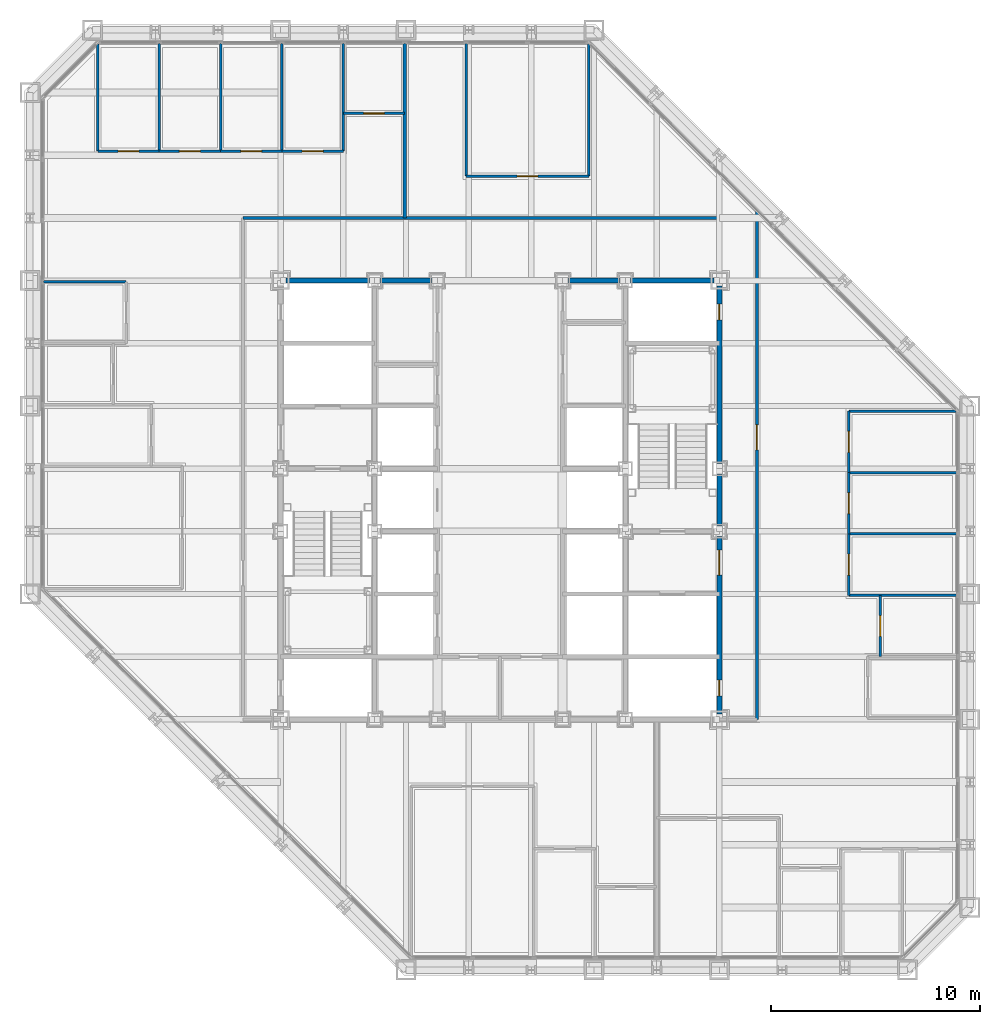
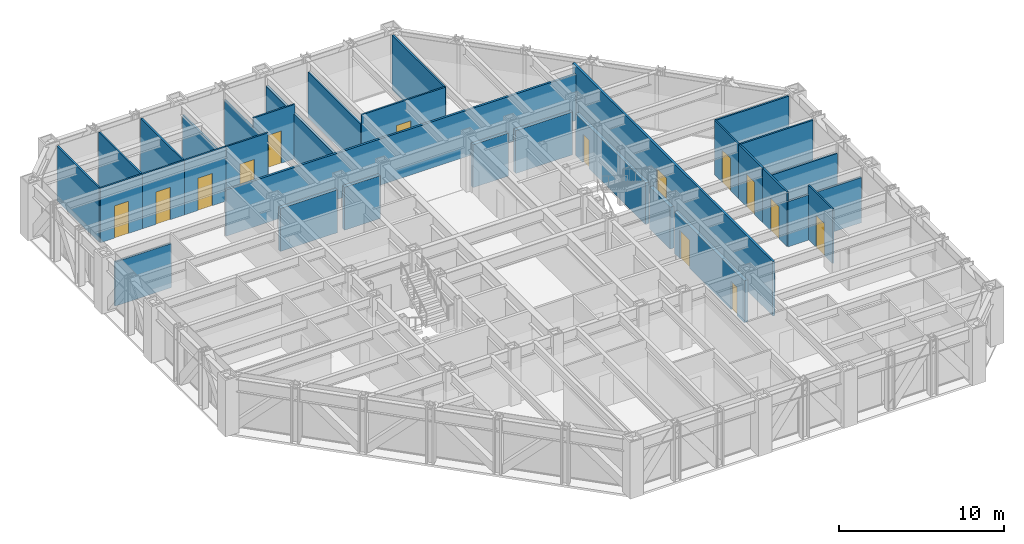
# One storey, part 12 of 16: 32 walls, 14 doors, 14 openings.
"""IFC4 building model written with IfcOpenShell, lengths in metres."""

from ifc_helpers import new_model, si_unit, direction, frame, frame_2d, origin, place, context, subcontext, project, spatial, rectangle, extrude, material, layer, layer_set, type_object, element, fill, save


model = new_model("IFC4")

# Units and contexts
model_context = context("Model", 3, precision=1e-05, world=origin(), true_north=direction((0.0, 1.0)))
body_context = subcontext(model_context, "Body", "Model", "MODEL_VIEW")
ifc_project = project(units=[si_unit("LENGTHUNIT", "METRE"), si_unit("AREAUNIT", "SQUARE_METRE"), si_unit("VOLUMEUNIT", "CUBIC_METRE"), si_unit("PLANEANGLEUNIT", "RADIAN"), si_unit("MASSUNIT", "GRAM", prefix="KILO")], contexts=[model_context])

# Site, building, storey
site_placement = place(None, origin())
site = spatial("IfcSite", under=ifc_project, at=site_placement, CompositionType="ELEMENT")
building_placement = place(site_placement, origin())
building = spatial("IfcBuilding", under=site, at=building_placement, Name="Chuquiago Exchange Tower", CompositionType="ELEMENT")
storey_placement = place(building_placement, frame((0.0, 0.0, 123.60009765625)))
storey = spatial("IfcBuildingStorey", under=building, at=storey_placement, Name="L26", CompositionType="ELEMENT", Elevation=123.60009765625)

# Walls
ifc_material_1 = material(Name="Concrete masonry, fully grouted", Category="masonry")
ifc_layer_1 = layer(ifc_material_1, 0.25)
ifc_layer_set_1 = layer_set([ifc_layer_1], Name="W1 core wall 250")
wall_type_1 = type_object("IfcWallType", Name="W1 core wall 250", PredefinedType="SOLIDWALL", material=ifc_layer_set_1)
wall_1_placement = place(storey_placement, frame((12.25, 33.0, 0.0), z_axis=(0.0, 0.0, 1.0), x_axis=(1.0, 0.0, 0.0)))
element("IfcWall", 1, at=wall_1_placement, inside=storey, type_object=wall_type_1, Name="CW-L26-11-0", PredefinedType="SOLIDWALL", context=body_context, shape_type="SweptSolid", body=[
    extrude(rectangle(XDim=4.0, YDim=0.25, at=frame_2d((2.0, 0.0))), origin(), (0.0, 0.0, 1.0), 3.181396484375),
])
for number, where, z_axis, x_axis, name in (
    (2, (16.75, 33.0, 0.0), (0.0, 0.0, 1.0), (1.0, 0.0, 0.0), "CW-L26-11-1"),
    (3, (25.75, 33.0, 0.0), (0.0, 0.0, 1.0), (1.0, 0.0, 0.0), "CW-L26-12-0"),
):
    element("IfcWall", number, at=place(storey_placement, frame(where, z_axis=z_axis, x_axis=x_axis)), inside=storey, type_object=wall_type_1, Name=name, PredefinedType="SOLIDWALL", context=body_context, shape_type="SweptSolid", body=[
        extrude(rectangle(XDim=2.5, YDim=0.25, at=frame_2d((1.25, 0.0))), origin(), (0.0, 0.0, 1.0), 3.181396484375),
    ])
wall_2_placement = place(storey_placement, frame((28.75, 33.0, 0.0), z_axis=(0.0, 0.0, 1.0), x_axis=(1.0, 0.0, 0.0)))
element("IfcWall", 4, at=wall_2_placement, inside=storey, type_object=wall_type_1, Name="CW-L26-12-1", PredefinedType="SOLIDWALL", context=body_context, shape_type="SweptSolid", body=[
    extrude(rectangle(XDim=4.0, YDim=0.25, at=frame_2d((2.0, 0.0))), origin(), (0.0, 0.0, 1.0), 3.181396484375),
])

# Wall, openings, doors
wall_3_placement = place(storey_placement, frame((33.0, 12.25, 0.0), z_axis=(0.0, 0.0, 1.0), x_axis=(0.0, 1.0, 0.0)))
wall_3 = element("IfcWall", 5, at=wall_3_placement, inside=storey, type_object=wall_type_1, Name="CW-L26-25-0", PredefinedType="SOLIDWALL", context=body_context, shape_type="SweptSolid", body=[
    extrude(rectangle(XDim=8.5, YDim=0.25, at=frame_2d((4.25, 0.0))), origin(), (0.0, 0.0, 1.0), 3.11279296875),
])
opening_1_placement = place(wall_3_placement, frame((6.64990234375, 0.0, 0.0)))
opening_1 = element("IfcOpeningElement", 6, at=opening_1_placement, cuts=wall_3, Name="Opening L26-004", PredefinedType="OPENING", context=body_context, shape_type="SweptSolid", body=[
    extrude(rectangle(XDim=1.199951171875, YDim=2.10009765625, at=frame_2d((0.60009765625, 1.050048828125))), frame((0.0, 0.135009765625, 0.0), z_axis=(0.0, -1.0, 0.0), x_axis=(1.0, 0.0, 0.0)), (0.0, 0.0, 1.0), 0.27001953125),
])
opening_2_placement = place(wall_3_placement, frame((0.875, 0.0, 0.0)))
opening_2 = element("IfcOpeningElement", 7, at=opening_2_placement, cuts=wall_3, Name="Opening L26-009", PredefinedType="OPENING", context=body_context, shape_type="SweptSolid", body=[
    extrude(rectangle(XDim=0.75, YDim=2.10009765625, at=frame_2d((0.375, 1.050048828125))), frame((0.0, 0.135009765625, 0.0), z_axis=(0.0, -1.0, 0.0), x_axis=(1.0, 0.0, 0.0)), (0.0, 0.0, 1.0), 0.27001953125),
])
ifc_material_2 = material(Name="Steel door, painted", Category="steel")
door_type_1 = type_object("IfcDoorType", Name="D5 firefighting lobby door 1200x2100", OperationType="SINGLE_SWING_LEFT", PredefinedType="DOOR", material=ifc_material_2)
door_1_placement = place(opening_1_placement, origin())
door_1 = element("IfcDoor", 8, at=door_1_placement, inside=storey, type_object=door_type_1, Name="Firefighting lobby 2 door", OperationType="SINGLE_SWING_RIGHT", OverallHeight=2.10009765625, OverallWidth=1.199951171875, PredefinedType="DOOR", context=body_context, shape_type="SweptSolid", body=[
    extrude(rectangle(XDim=1.199951171875, YDim=2.10009765625, at=frame_2d((0.60009765625, 1.050048828125))), frame((0.0, 0.02490234375, 0.0), z_axis=(0.0, -1.0, 0.0), x_axis=(1.0, 0.0, 0.0)), (0.0, 0.0, 1.0), 0.050048828125),
])
fill(opening_1, door_1)
ifc_material_3 = material(Name="Steel door, painted", Category="steel")
door_type_2 = type_object("IfcDoorType", Name="D6 riser access door 750x2100", OperationType="SINGLE_SWING_LEFT", PredefinedType="DOOR", material=ifc_material_3)
door_2_placement = place(opening_2_placement, origin())
door_2 = element("IfcDoor", 9, at=door_2_placement, inside=storey, type_object=door_type_2, Name="Riser RE1 door", OperationType="SINGLE_SWING_LEFT", OverallHeight=2.10009765625, OverallWidth=0.75, PredefinedType="DOOR", context=body_context, shape_type="SweptSolid", body=[
    extrude(rectangle(XDim=0.75, YDim=2.10009765625, at=frame_2d((0.375, 1.050048828125))), frame((0.0, 0.02490234375, 0.0), z_axis=(0.0, -1.0, 0.0), x_axis=(1.0, 0.0, 0.0)), (0.0, 0.0, 1.0), 0.050048828125),
])
fill(opening_2, door_2)

# Wall
wall_4_placement = place(storey_placement, frame((33.0, 21.25, 0.0), z_axis=(0.0, 0.0, 1.0), x_axis=(0.0, 1.0, 0.0)))
element("IfcWall", 10, at=wall_4_placement, inside=storey, type_object=wall_type_1, Name="CW-L26-25-1", PredefinedType="SOLIDWALL", context=body_context, shape_type="SweptSolid", body=[
    extrude(rectangle(XDim=2.5, YDim=0.25, at=frame_2d((1.25, 0.0))), origin(), (0.0, 0.0, 1.0), 3.11279296875),
])

# Wall, opening, door
wall_5_placement = place(storey_placement, frame((33.0, 24.25, 0.0), z_axis=(0.0, 0.0, 1.0), x_axis=(0.0, 1.0, 0.0)))
wall_5 = element("IfcWall", 11, at=wall_5_placement, inside=storey, type_object=wall_type_1, Name="CW-L26-25-2", PredefinedType="SOLIDWALL", context=body_context, shape_type="SweptSolid", body=[
    extrude(rectangle(XDim=8.5, YDim=0.25, at=frame_2d((4.25, 0.0))), origin(), (0.0, 0.0, 1.0), 3.11279296875),
])
opening_3_placement = place(wall_5_placement, frame((6.875, 0.0, 0.0)))
opening_3 = element("IfcOpeningElement", 12, at=opening_3_placement, cuts=wall_5, Name="Opening L26-010", PredefinedType="OPENING", context=body_context, shape_type="SweptSolid", body=[
    extrude(rectangle(XDim=0.75, YDim=2.10009765625, at=frame_2d((0.375, 1.050048828125))), frame((0.0, 0.135009765625, 0.0), z_axis=(0.0, -1.0, 0.0), x_axis=(1.0, 0.0, 0.0)), (0.0, 0.0, 1.0), 0.27001953125),
])
door_3_placement = place(opening_3_placement, origin())
door_3 = element("IfcDoor", 13, at=door_3_placement, inside=storey, type_object=door_type_2, Name="Riser RE2 door", OperationType="SINGLE_SWING_RIGHT", OverallHeight=2.10009765625, OverallWidth=0.75, PredefinedType="DOOR", context=body_context, shape_type="SweptSolid", body=[
    extrude(rectangle(XDim=0.75, YDim=2.10009765625, at=frame_2d((0.375, 1.050048828125))), frame((0.0, 0.02490234375, 0.0), z_axis=(0.0, -1.0, 0.0), x_axis=(1.0, 0.0, 0.0)), (0.0, 0.0, 1.0), 0.050048828125),
])
fill(opening_3, door_3)

# Wall
ifc_material_4 = material(Name="Gypsum board on steel studs, acoustic insulation", Category="steel")
ifc_layer_2 = layer(ifc_material_4, 0.14990234375)
ifc_layer_set_2 = layer_set([ifc_layer_2], Name="W11 corridor wall 150")
wall_type_2 = type_object("IfcWallType", Name="W11 corridor wall 150", PredefinedType="PARTITIONING", material=ifc_layer_set_2)
wall_6_placement = place(storey_placement, frame((10.199951171875, 36.0, 0.0), z_axis=(0.0, 0.0, 1.0), x_axis=(1.0, 0.0, 0.0)))
element("IfcWall", 14, at=wall_6_placement, inside=storey, type_object=wall_type_2, Name="PW-L26-CN", PredefinedType="PARTITIONING", context=body_context, shape_type="SweptSolid", body=[
    extrude(rectangle(XDim=24.91455078125, YDim=0.14990234375, at=frame_2d((12.457275390625, 0.0))), origin(), (0.0, 0.0, 1.0), 3.427734375),
])

# Wall, opening, door
wall_7_placement = place(storey_placement, frame((34.800048828125, 12.0, 0.0), z_axis=(0.0, 0.0, 1.0), x_axis=(0.0, 1.0, 0.0)))
wall_7 = element("IfcWall", 15, at=wall_7_placement, inside=storey, type_object=wall_type_2, Name="PW-L26-CE", PredefinedType="PARTITIONING", context=body_context, shape_type="SweptSolid", body=[
    extrude(rectangle(XDim=24.314453125, YDim=0.14990234375, at=frame_2d((12.1572265625, 0.0))), origin(), (0.0, 0.0, 1.0), 4.039794921875),
])
opening_4_placement = place(wall_7_placement, frame((12.89990234375, 0.0, 0.0)))
opening_4 = element("IfcOpeningElement", 16, at=opening_4_placement, cuts=wall_7, Name="Opening L26-044", PredefinedType="OPENING", context=body_context, shape_type="SweptSolid", body=[
    extrude(rectangle(XDim=1.199951171875, YDim=2.39990234375, at=frame_2d((0.60009765625, 1.199951171875))), frame((0.0, 0.0849609375, 0.0), z_axis=(0.0, -1.0, 0.0), x_axis=(1.0, 0.0, 0.0)), (0.0, 0.0, 1.0), 0.169921875),
])
ifc_material_5 = material(Name="Timber door, laminate faced", Category="wood")
door_type_3 = type_object("IfcDoorType", Name="D13 suite entrance door 1200x2400", OperationType="SINGLE_SWING_LEFT", PredefinedType="DOOR", material=ifc_material_5)
door_4_placement = place(opening_4_placement, frame((1.199951171875, 0.0, 0.0), z_axis=(0.0, 0.0, 1.0), x_axis=(-1.0, 0.0, 0.0)))
door_4 = element("IfcDoor", 17, at=door_4_placement, inside=storey, type_object=door_type_3, Name="East suite entrance door", OperationType="SINGLE_SWING_LEFT", OverallHeight=2.39990234375, OverallWidth=1.199951171875, PredefinedType="DOOR", context=body_context, shape_type="SweptSolid", body=[
    extrude(rectangle(XDim=1.199951171875, YDim=2.39990234375, at=frame_2d((0.60009765625, 1.199951171875))), frame((0.0, 0.02490234375, 0.0), z_axis=(0.0, -1.0, 0.0), x_axis=(1.0, 0.0, 0.0)), (0.0, 0.0, 1.0), 0.050048828125),
])
fill(opening_4, door_4)

# Walls
ifc_material_6 = material(Name="Gypsum board on twin steel studs, acoustic insulation", Category="steel")
ifc_layer_3 = layer(ifc_material_6, 0.175048828125)
ifc_layer_set_3 = layer_set([ifc_layer_3], Name="W12 tenant demising wall 175")
wall_type_3 = type_object("IfcWallType", Name="W12 tenant demising wall 175", PredefinedType="PARTITIONING", material=ifc_layer_set_3)
wall_8_placement = place(storey_placement, frame((17.93798828125, 44.347412109375, 0.0), z_axis=(0.0, 0.0, 1.0), x_axis=(0.0, -1.0, 0.0)))
element("IfcWall", 18, at=wall_8_placement, inside=storey, type_object=wall_type_3, Name="PW-L26-DN01794", PredefinedType="PARTITIONING", context=body_context, shape_type="SweptSolid", body=[
    extrude(rectangle(XDim=8.347412109375, YDim=0.175048828125, at=frame_2d((4.173828125, 0.0))), origin(), (0.0, 0.0, 1.0), 3.356689453125),
])
ifc_material_7 = material(Name="Gypsum board on steel studs", Category="steel")
ifc_layer_4 = layer(ifc_material_7, 0.1201171875)
ifc_layer_set_4 = layer_set([ifc_layer_4], Name="W4 partition 120")
wall_type_4 = type_object("IfcWallType", Name="W4 partition 120", PredefinedType="PARTITIONING", material=ifc_layer_set_4)
for number, where, z_axis, x_axis, name in (
    (19, (44.347412109375, 17.93798828125, 0.0), (0.0, 0.0, 1.0), (-1.0, 0.0, 0.0), "PW-L26-E01794"),
    (20, (44.347412109375, 20.875732421875, 0.0), (0.0, 0.0, 1.0), (-1.0, 0.0, 0.0), "PW-L26-E02088"),
):
    element("IfcWall", number, at=place(storey_placement, frame(where, z_axis=z_axis, x_axis=x_axis)), inside=storey, type_object=wall_type_4, Name=name, PredefinedType="PARTITIONING", context=body_context, shape_type="SweptSolid", body=[
        extrude(rectangle(XDim=5.1474609375, YDim=0.1201171875, at=frame_2d((2.57373046875, 0.0))), origin(), (0.0, 0.0, 1.0), 3.356689453125),
    ])
wall_9_placement = place(storey_placement, frame((44.347412109375, 23.813720703125, 0.0), z_axis=(0.0, 0.0, 1.0), x_axis=(-1.0, 0.0, 0.0)))
element("IfcWall", 21, at=wall_9_placement, inside=storey, type_object=wall_type_4, Name="PW-L26-E02381", PredefinedType="PARTITIONING", context=body_context, shape_type="SweptSolid", body=[
    extrude(rectangle(XDim=5.1474609375, YDim=0.1201171875, at=frame_2d((2.57373046875, 0.0))), origin(), (0.0, 0.0, 1.0), 4.039794921875),
])
wall_10_placement = place(storey_placement, frame((44.333984375, 26.75146484375, 0.0), z_axis=(0.0, 0.0, 1.0), x_axis=(-1.0, 0.0, 0.0)))
element("IfcWall", 22, at=wall_10_placement, inside=storey, type_object=wall_type_4, Name="PW-L26-E02675", PredefinedType="PARTITIONING", context=body_context, shape_type="SweptSolid", body=[
    extrude(rectangle(XDim=5.134033203125, YDim=0.1201171875, at=frame_2d((2.56689453125, 0.0))), origin(), (0.0, 0.0, 1.0), 4.039794921875),
])

# Wall, opening, door
wall_11_placement = place(storey_placement, frame((40.699951171875, 15.0, 0.0), z_axis=(0.0, 0.0, 1.0), x_axis=(0.0, 1.0, 0.0)))
wall_11 = element("IfcWall", 23, at=wall_11_placement, inside=storey, type_object=wall_type_4, Name="PW-L26-EF01500", PredefinedType="PARTITIONING", context=body_context, shape_type="SweptSolid", body=[
    extrude(rectangle(XDim=2.93798828125, YDim=0.1201171875, at=frame_2d((1.468994140625, 0.0))), origin(), (0.0, 0.0, 1.0), 4.039794921875),
])
opening_5_placement = place(wall_11_placement, frame((0.968994140625, 0.0, 0.0)))
opening_5 = element("IfcOpeningElement", 24, at=opening_5_placement, cuts=wall_11, Name="Opening L26-029", PredefinedType="OPENING", context=body_context, shape_type="SweptSolid", body=[
    extrude(rectangle(XDim=1.0, YDim=2.39990234375, at=frame_2d((0.5, 1.199951171875))), frame((0.0, 0.070068359375, 0.0), z_axis=(0.0, -1.0, 0.0), x_axis=(1.0, 0.0, 0.0)), (0.0, 0.0, 1.0), 0.14013671875),
])
ifc_material_8 = material(Name="Timber door, laminate faced", Category="wood")
door_type_4 = type_object("IfcDoorType", Name="D9 room door 1000x2400", OperationType="SINGLE_SWING_LEFT", PredefinedType="DOOR", material=ifc_material_8)
door_5_placement = place(opening_5_placement, frame((1.0, 0.0, 0.0), z_axis=(0.0, 0.0, 1.0), x_axis=(-1.0, 0.0, 0.0)))
door_5 = element("IfcDoor", 25, at=door_5_placement, inside=storey, type_object=door_type_4, Name="Store door", OperationType="SINGLE_SWING_RIGHT", OverallHeight=2.39990234375, OverallWidth=1.0, PredefinedType="DOOR", context=body_context, shape_type="SweptSolid", body=[
    extrude(rectangle(XDim=1.0, YDim=2.39990234375, at=frame_2d((0.5, 1.199951171875))), frame((0.0, 0.02490234375, 0.0), z_axis=(0.0, -1.0, 0.0), x_axis=(1.0, 0.0, 0.0)), (0.0, 0.0, 1.0), 0.050048828125),
])
fill(opening_5, door_5)

wall_12_placement = place(storey_placement, frame((39.199951171875, 17.93798828125, 0.0), z_axis=(0.0, 0.0, 1.0), x_axis=(0.0, 1.0, 0.0)))
wall_12 = element("IfcWall", 26, at=wall_12_placement, inside=storey, type_object=wall_type_4, Name="PW-L26-EF01794", PredefinedType="PARTITIONING", context=body_context, shape_type="SweptSolid", body=[
    extrude(rectangle(XDim=2.937744140625, YDim=0.1201171875, at=frame_2d((1.46875, 0.0))), origin(), (0.0, 0.0, 1.0), 4.039794921875),
])
opening_6_placement = place(wall_12_placement, frame((0.968994140625, 0.0, 0.0)))
opening_6 = element("IfcOpeningElement", 27, at=opening_6_placement, cuts=wall_12, Name="Opening L26-030", PredefinedType="OPENING", context=body_context, shape_type="SweptSolid", body=[
    extrude(rectangle(XDim=1.0, YDim=2.39990234375, at=frame_2d((0.5, 1.199951171875))), frame((0.0, 0.070068359375, 0.0), z_axis=(0.0, -1.0, 0.0), x_axis=(1.0, 0.0, 0.0)), (0.0, 0.0, 1.0), 0.14013671875),
])
door_6_placement = place(opening_6_placement, frame((1.0, 0.0, 0.0), z_axis=(0.0, 0.0, 1.0), x_axis=(-1.0, 0.0, 0.0)))
door_6 = element("IfcDoor", 28, at=door_6_placement, inside=storey, type_object=door_type_4, Name="Office door", OperationType="SINGLE_SWING_LEFT", OverallHeight=2.39990234375, OverallWidth=1.0, PredefinedType="DOOR", context=body_context, shape_type="SweptSolid", body=[
    extrude(rectangle(XDim=1.0, YDim=2.39990234375, at=frame_2d((0.5, 1.199951171875))), frame((0.0, 0.02490234375, 0.0), z_axis=(0.0, -1.0, 0.0), x_axis=(1.0, 0.0, 0.0)), (0.0, 0.0, 1.0), 0.050048828125),
])
fill(opening_6, door_6)

wall_13_placement = place(storey_placement, frame((39.199951171875, 20.875732421875, 0.0), z_axis=(0.0, 0.0, 1.0), x_axis=(0.0, 1.0, 0.0)))
wall_13 = element("IfcWall", 29, at=wall_13_placement, inside=storey, type_object=wall_type_4, Name="PW-L26-EF02088", PredefinedType="PARTITIONING", context=body_context, shape_type="SweptSolid", body=[
    extrude(rectangle(XDim=2.93798828125, YDim=0.1201171875, at=frame_2d((1.468994140625, 0.0))), origin(), (0.0, 0.0, 1.0), 4.039794921875),
])
opening_7_placement = place(wall_13_placement, frame((0.968994140625, 0.0, 0.0)))
opening_7 = element("IfcOpeningElement", 30, at=opening_7_placement, cuts=wall_13, Name="Opening L26-031", PredefinedType="OPENING", context=body_context, shape_type="SweptSolid", body=[
    extrude(rectangle(XDim=1.0, YDim=2.39990234375, at=frame_2d((0.5, 1.199951171875))), frame((0.0, 0.070068359375, 0.0), z_axis=(0.0, -1.0, 0.0), x_axis=(1.0, 0.0, 0.0)), (0.0, 0.0, 1.0), 0.14013671875),
])
door_7_placement = place(opening_7_placement, frame((1.0, 0.0, 0.0), z_axis=(0.0, 0.0, 1.0), x_axis=(-1.0, 0.0, 0.0)))
door_7 = element("IfcDoor", 31, at=door_7_placement, inside=storey, type_object=door_type_4, Name="Office door", OperationType="SINGLE_SWING_LEFT", OverallHeight=2.39990234375, OverallWidth=1.0, PredefinedType="DOOR", context=body_context, shape_type="SweptSolid", body=[
    extrude(rectangle(XDim=1.0, YDim=2.39990234375, at=frame_2d((0.5, 1.199951171875))), frame((0.0, 0.02490234375, 0.0), z_axis=(0.0, -1.0, 0.0), x_axis=(1.0, 0.0, 0.0)), (0.0, 0.0, 1.0), 0.050048828125),
])
fill(opening_7, door_7)

wall_14_placement = place(storey_placement, frame((39.199951171875, 23.813720703125, 0.0), z_axis=(0.0, 0.0, 1.0), x_axis=(0.0, 1.0, 0.0)))
wall_14 = element("IfcWall", 32, at=wall_14_placement, inside=storey, type_object=wall_type_4, Name="PW-L26-EF02381", PredefinedType="PARTITIONING", context=body_context, shape_type="SweptSolid", body=[
    extrude(rectangle(XDim=2.937744140625, YDim=0.1201171875, at=frame_2d((1.46875, 0.0))), origin(), (0.0, 0.0, 1.0), 4.039794921875),
])
opening_8_placement = place(wall_14_placement, frame((0.968994140625, 0.0, 0.0)))
opening_8 = element("IfcOpeningElement", 33, at=opening_8_placement, cuts=wall_14, Name="Opening L26-032", PredefinedType="OPENING", context=body_context, shape_type="SweptSolid", body=[
    extrude(rectangle(XDim=1.0, YDim=2.39990234375, at=frame_2d((0.5, 1.199951171875))), frame((0.0, 0.070068359375, 0.0), z_axis=(0.0, -1.0, 0.0), x_axis=(1.0, 0.0, 0.0)), (0.0, 0.0, 1.0), 0.14013671875),
])
door_8_placement = place(opening_8_placement, frame((1.0, 0.0, 0.0), z_axis=(0.0, 0.0, 1.0), x_axis=(-1.0, 0.0, 0.0)))
door_8 = element("IfcDoor", 34, at=door_8_placement, inside=storey, type_object=door_type_4, Name="Office door", OperationType="SINGLE_SWING_RIGHT", OverallHeight=2.39990234375, OverallWidth=1.0, PredefinedType="DOOR", context=body_context, shape_type="SweptSolid", body=[
    extrude(rectangle(XDim=1.0, YDim=2.39990234375, at=frame_2d((0.5, 1.199951171875))), frame((0.0, 0.02490234375, 0.0), z_axis=(0.0, -1.0, 0.0), x_axis=(1.0, 0.0, 0.0)), (0.0, 0.0, 1.0), 0.050048828125),
])
fill(opening_8, door_8)

# Walls
wall_15_placement = place(storey_placement, frame((3.24853515625, 44.333984375, 0.0), z_axis=(0.0, 0.0, 1.0), x_axis=(0.0, -1.0, 0.0)))
element("IfcWall", 35, at=wall_15_placement, inside=storey, type_object=wall_type_4, Name="PW-L26-N00325", PredefinedType="PARTITIONING", context=body_context, shape_type="SweptSolid", body=[
    extrude(rectangle(XDim=5.134033203125, YDim=0.1201171875, at=frame_2d((2.56689453125, 0.0))), origin(), (0.0, 0.0, 1.0), 4.039794921875),
])
for number, where, z_axis, x_axis, name in (
    (36, (6.186279296875, 44.347412109375, 0.0), (0.0, 0.0, 1.0), (0.0, -1.0, 0.0), "PW-L26-N00619"),
    (37, (9.124267578125, 44.347412109375, 0.0), (0.0, 0.0, 1.0), (0.0, -1.0, 0.0), "PW-L26-N00912"),
):
    element("IfcWall", number, at=place(storey_placement, frame(where, z_axis=z_axis, x_axis=x_axis)), inside=storey, type_object=wall_type_4, Name=name, PredefinedType="PARTITIONING", context=body_context, shape_type="SweptSolid", body=[
        extrude(rectangle(XDim=5.1474609375, YDim=0.1201171875, at=frame_2d((2.57373046875, 0.0))), origin(), (0.0, 0.0, 1.0), 4.039794921875),
    ])
wall_16_placement = place(storey_placement, frame((12.06201171875, 44.347412109375, 0.0), z_axis=(0.0, 0.0, 1.0), x_axis=(0.0, -1.0, 0.0)))
element("IfcWall", 38, at=wall_16_placement, inside=storey, type_object=wall_type_4, Name="PW-L26-N01206", PredefinedType="PARTITIONING", context=body_context, shape_type="SweptSolid", body=[
    extrude(rectangle(XDim=5.1474609375, YDim=0.1201171875, at=frame_2d((2.57373046875, 0.0))), origin(), (0.0, 0.0, 1.0), 3.270263671875),
])
wall_17_placement = place(storey_placement, frame((15.0, 44.347412109375, 0.0), z_axis=(0.0, 0.0, 1.0), x_axis=(0.0, -1.0, 0.0)))
element("IfcWall", 39, at=wall_17_placement, inside=storey, type_object=wall_type_4, Name="PW-L26-N01500", PredefinedType="PARTITIONING", context=body_context, shape_type="SweptSolid", body=[
    extrude(rectangle(XDim=5.1474609375, YDim=0.1201171875, at=frame_2d((2.57373046875, 0.0))), origin(), (0.0, 0.0, 1.0), 3.356689453125),
])
wall_18_placement = place(storey_placement, frame((20.875732421875, 44.347412109375, 0.0), z_axis=(0.0, 0.0, 1.0), x_axis=(0.0, -1.0, 0.0)))
element("IfcWall", 40, at=wall_18_placement, inside=storey, type_object=wall_type_4, Name="PW-L26-N02088", PredefinedType="PARTITIONING", context=body_context, shape_type="SweptSolid", body=[
    extrude(rectangle(XDim=6.347412109375, YDim=0.1201171875, at=frame_2d((3.173828125, 0.0))), origin(), (0.0, 0.0, 1.0), 3.356689453125),
])
wall_19_placement = place(storey_placement, frame((26.75146484375, 44.333984375, 0.0), z_axis=(0.0, 0.0, 1.0), x_axis=(0.0, -1.0, 0.0)))
element("IfcWall", 41, at=wall_19_placement, inside=storey, type_object=wall_type_4, Name="PW-L26-N02675", PredefinedType="PARTITIONING", context=body_context, shape_type="SweptSolid", body=[
    extrude(rectangle(XDim=6.333984375, YDim=0.1201171875, at=frame_2d((3.1669921875, 0.0))), origin(), (0.0, 0.0, 1.0), 4.039794921875),
])

# Wall, opening, door
wall_20_placement = place(storey_placement, frame((3.24853515625, 39.199951171875, 0.0), z_axis=(0.0, 0.0, 1.0), x_axis=(1.0, 0.0, 0.0)))
wall_20 = element("IfcWall", 42, at=wall_20_placement, inside=storey, type_object=wall_type_4, Name="PW-L26-NF00325", PredefinedType="PARTITIONING", context=body_context, shape_type="SweptSolid", body=[
    extrude(rectangle(XDim=2.937744140625, YDim=0.1201171875, at=frame_2d((1.46875, 0.0))), origin(), (0.0, 0.0, 1.0), 4.039794921875),
])
opening_9_placement = place(wall_20_placement, frame((0.968994140625, 0.0, 0.0)))
opening_9 = element("IfcOpeningElement", 43, at=opening_9_placement, cuts=wall_20, Name="Opening L26-033", PredefinedType="OPENING", context=body_context, shape_type="SweptSolid", body=[
    extrude(rectangle(XDim=1.0, YDim=2.39990234375, at=frame_2d((0.5, 1.199951171875))), frame((0.0, 0.070068359375, 0.0), z_axis=(0.0, -1.0, 0.0), x_axis=(1.0, 0.0, 0.0)), (0.0, 0.0, 1.0), 0.14013671875),
])
door_9_placement = place(opening_9_placement, origin())
door_9 = element("IfcDoor", 44, at=door_9_placement, inside=storey, type_object=door_type_4, Name="Office door", OperationType="SINGLE_SWING_LEFT", OverallHeight=2.39990234375, OverallWidth=1.0, PredefinedType="DOOR", context=body_context, shape_type="SweptSolid", body=[
    extrude(rectangle(XDim=1.0, YDim=2.39990234375, at=frame_2d((0.5, 1.199951171875))), frame((0.0, 0.02490234375, 0.0), z_axis=(0.0, -1.0, 0.0), x_axis=(1.0, 0.0, 0.0)), (0.0, 0.0, 1.0), 0.050048828125),
])
fill(opening_9, door_9)

wall_21_placement = place(storey_placement, frame((6.186279296875, 39.199951171875, 0.0), z_axis=(0.0, 0.0, 1.0), x_axis=(1.0, 0.0, 0.0)))
wall_21 = element("IfcWall", 45, at=wall_21_placement, inside=storey, type_object=wall_type_4, Name="PW-L26-NF00619", PredefinedType="PARTITIONING", context=body_context, shape_type="SweptSolid", body=[
    extrude(rectangle(XDim=2.93798828125, YDim=0.1201171875, at=frame_2d((1.468994140625, 0.0))), origin(), (0.0, 0.0, 1.0), 4.039794921875),
])
opening_10_placement = place(wall_21_placement, frame((0.968994140625, 0.0, 0.0)))
opening_10 = element("IfcOpeningElement", 46, at=opening_10_placement, cuts=wall_21, Name="Opening L26-034", PredefinedType="OPENING", context=body_context, shape_type="SweptSolid", body=[
    extrude(rectangle(XDim=1.0, YDim=2.39990234375, at=frame_2d((0.5, 1.199951171875))), frame((0.0, 0.070068359375, 0.0), z_axis=(0.0, -1.0, 0.0), x_axis=(1.0, 0.0, 0.0)), (0.0, 0.0, 1.0), 0.14013671875),
])
door_10_placement = place(opening_10_placement, origin())
door_10 = element("IfcDoor", 47, at=door_10_placement, inside=storey, type_object=door_type_4, Name="Office door", OperationType="SINGLE_SWING_LEFT", OverallHeight=2.39990234375, OverallWidth=1.0, PredefinedType="DOOR", context=body_context, shape_type="SweptSolid", body=[
    extrude(rectangle(XDim=1.0, YDim=2.39990234375, at=frame_2d((0.5, 1.199951171875))), frame((0.0, 0.02490234375, 0.0), z_axis=(0.0, -1.0, 0.0), x_axis=(1.0, 0.0, 0.0)), (0.0, 0.0, 1.0), 0.050048828125),
])
fill(opening_10, door_10)

wall_22_placement = place(storey_placement, frame((9.124267578125, 39.199951171875, 0.0), z_axis=(0.0, 0.0, 1.0), x_axis=(1.0, 0.0, 0.0)))
wall_22 = element("IfcWall", 48, at=wall_22_placement, inside=storey, type_object=wall_type_4, Name="PW-L26-NF00912", PredefinedType="PARTITIONING", context=body_context, shape_type="SweptSolid", body=[
    extrude(rectangle(XDim=2.937744140625, YDim=0.1201171875, at=frame_2d((1.46875, 0.0))), origin(), (0.0, 0.0, 1.0), 4.039794921875),
])
opening_11_placement = place(wall_22_placement, frame((0.968994140625, 0.0, 0.0)))
opening_11 = element("IfcOpeningElement", 49, at=opening_11_placement, cuts=wall_22, Name="Opening L26-035", PredefinedType="OPENING", context=body_context, shape_type="SweptSolid", body=[
    extrude(rectangle(XDim=1.0, YDim=2.39990234375, at=frame_2d((0.5, 1.199951171875))), frame((0.0, 0.070068359375, 0.0), z_axis=(0.0, -1.0, 0.0), x_axis=(1.0, 0.0, 0.0)), (0.0, 0.0, 1.0), 0.14013671875),
])
door_11_placement = place(opening_11_placement, origin())
door_11 = element("IfcDoor", 50, at=door_11_placement, inside=storey, type_object=door_type_4, Name="Office door", OperationType="SINGLE_SWING_RIGHT", OverallHeight=2.39990234375, OverallWidth=1.0, PredefinedType="DOOR", context=body_context, shape_type="SweptSolid", body=[
    extrude(rectangle(XDim=1.0, YDim=2.39990234375, at=frame_2d((0.5, 1.199951171875))), frame((0.0, 0.02490234375, 0.0), z_axis=(0.0, -1.0, 0.0), x_axis=(1.0, 0.0, 0.0)), (0.0, 0.0, 1.0), 0.050048828125),
])
fill(opening_11, door_11)

wall_23_placement = place(storey_placement, frame((12.06201171875, 39.199951171875, 0.0), z_axis=(0.0, 0.0, 1.0), x_axis=(1.0, 0.0, 0.0)))
wall_23 = element("IfcWall", 51, at=wall_23_placement, inside=storey, type_object=wall_type_4, Name="PW-L26-NF01206", PredefinedType="PARTITIONING", context=body_context, shape_type="SweptSolid", body=[
    extrude(rectangle(XDim=2.93798828125, YDim=0.1201171875, at=frame_2d((1.468994140625, 0.0))), origin(), (0.0, 0.0, 1.0), 4.039794921875),
])
opening_12_placement = place(wall_23_placement, frame((0.968994140625, 0.0, 0.0)))
opening_12 = element("IfcOpeningElement", 52, at=opening_12_placement, cuts=wall_23, Name="Opening L26-036", PredefinedType="OPENING", context=body_context, shape_type="SweptSolid", body=[
    extrude(rectangle(XDim=1.0, YDim=2.39990234375, at=frame_2d((0.5, 1.199951171875))), frame((0.0, 0.070068359375, 0.0), z_axis=(0.0, -1.0, 0.0), x_axis=(1.0, 0.0, 0.0)), (0.0, 0.0, 1.0), 0.14013671875),
])
ifc_material_9 = material(Name="Timber frame door, full height glazed panel", Category="wood")
door_type_5 = type_object("IfcDoorType", Name="D14 glazed meeting room door 1000x2400", OperationType="SINGLE_SWING_LEFT", PredefinedType="DOOR", material=ifc_material_9)
door_12_placement = place(opening_12_placement, origin())
door_12 = element("IfcDoor", 53, at=door_12_placement, inside=storey, type_object=door_type_5, Name="Meeting room door", OperationType="SINGLE_SWING_RIGHT", OverallHeight=2.39990234375, OverallWidth=1.0, PredefinedType="DOOR", context=body_context, shape_type="SweptSolid", body=[
    extrude(rectangle(XDim=1.0, YDim=2.39990234375, at=frame_2d((0.5, 1.199951171875))), frame((0.0, 0.02490234375, 0.0), z_axis=(0.0, -1.0, 0.0), x_axis=(1.0, 0.0, 0.0)), (0.0, 0.0, 1.0), 0.050048828125),
])
fill(opening_12, door_12)

wall_24_placement = place(storey_placement, frame((15.0, 41.0, 0.0), z_axis=(0.0, 0.0, 1.0), x_axis=(1.0, 0.0, 0.0)))
wall_24 = element("IfcWall", 54, at=wall_24_placement, inside=storey, type_object=wall_type_4, Name="PW-L26-NF01500", PredefinedType="PARTITIONING", context=body_context, shape_type="SweptSolid", body=[
    extrude(rectangle(XDim=2.93798828125, YDim=0.1201171875, at=frame_2d((1.468994140625, 0.0))), origin(), (0.0, 0.0, 1.0), 4.039794921875),
])
opening_13_placement = place(wall_24_placement, frame((0.968994140625, 0.0, 0.0)))
opening_13 = element("IfcOpeningElement", 55, at=opening_13_placement, cuts=wall_24, Name="Opening L26-037", PredefinedType="OPENING", context=body_context, shape_type="SweptSolid", body=[
    extrude(rectangle(XDim=1.0, YDim=2.39990234375, at=frame_2d((0.5, 1.199951171875))), frame((0.0, 0.070068359375, 0.0), z_axis=(0.0, -1.0, 0.0), x_axis=(1.0, 0.0, 0.0)), (0.0, 0.0, 1.0), 0.14013671875),
])
door_13_placement = place(opening_13_placement, origin())
door_13 = element("IfcDoor", 56, at=door_13_placement, inside=storey, type_object=door_type_5, Name="Focus room door", OperationType="SINGLE_SWING_RIGHT", OverallHeight=2.39990234375, OverallWidth=1.0, PredefinedType="DOOR", context=body_context, shape_type="SweptSolid", body=[
    extrude(rectangle(XDim=1.0, YDim=2.39990234375, at=frame_2d((0.5, 1.199951171875))), frame((0.0, 0.02490234375, 0.0), z_axis=(0.0, -1.0, 0.0), x_axis=(1.0, 0.0, 0.0)), (0.0, 0.0, 1.0), 0.050048828125),
])
fill(opening_13, door_13)

wall_25_placement = place(storey_placement, frame((20.875732421875, 38.0, 0.0), z_axis=(0.0, 0.0, 1.0), x_axis=(1.0, 0.0, 0.0)))
wall_25 = element("IfcWall", 57, at=wall_25_placement, inside=storey, type_object=wall_type_4, Name="PW-L26-NF02088", PredefinedType="PARTITIONING", context=body_context, shape_type="SweptSolid", body=[
    extrude(rectangle(XDim=5.875732421875, YDim=0.1201171875, at=frame_2d((2.93798828125, 0.0))), origin(), (0.0, 0.0, 1.0), 4.039794921875),
])
opening_14_placement = place(wall_25_placement, frame((2.43798828125, 0.0, 0.0)))
opening_14 = element("IfcOpeningElement", 58, at=opening_14_placement, cuts=wall_25, Name="Opening L26-038", PredefinedType="OPENING", context=body_context, shape_type="SweptSolid", body=[
    extrude(rectangle(XDim=1.0, YDim=2.39990234375, at=frame_2d((0.5, 1.199951171875))), frame((0.0, 0.070068359375, 0.0), z_axis=(0.0, -1.0, 0.0), x_axis=(1.0, 0.0, 0.0)), (0.0, 0.0, 1.0), 0.14013671875),
])
door_14_placement = place(opening_14_placement, origin())
door_14 = element("IfcDoor", 59, at=door_14_placement, inside=storey, type_object=door_type_4, Name="Risk management office door", OperationType="SINGLE_SWING_LEFT", OverallHeight=2.39990234375, OverallWidth=1.0, PredefinedType="DOOR", context=body_context, shape_type="SweptSolid", body=[
    extrude(rectangle(XDim=1.0, YDim=2.39990234375, at=frame_2d((0.5, 1.199951171875))), frame((0.0, 0.02490234375, 0.0), z_axis=(0.0, -1.0, 0.0), x_axis=(1.0, 0.0, 0.0)), (0.0, 0.0, 1.0), 0.050048828125),
])
fill(opening_14, door_14)

# Wall
wall_26_placement = place(storey_placement, frame((0.652587890625, 32.93798828125, 0.0), z_axis=(0.0, 0.0, 1.0), x_axis=(1.0, 0.0, 0.0)))
element("IfcWall", 60, at=wall_26_placement, inside=storey, type_object=wall_type_4, Name="PW-L26-W03294", PredefinedType="PARTITIONING", context=body_context, shape_type="SweptSolid", body=[
    extrude(rectangle(XDim=3.947509765625, YDim=0.1201171875, at=frame_2d((1.9736328125, 0.0))), origin(), (0.0, 0.0, 1.0), 3.270263671875),
])

save(model, "model.ifc")
